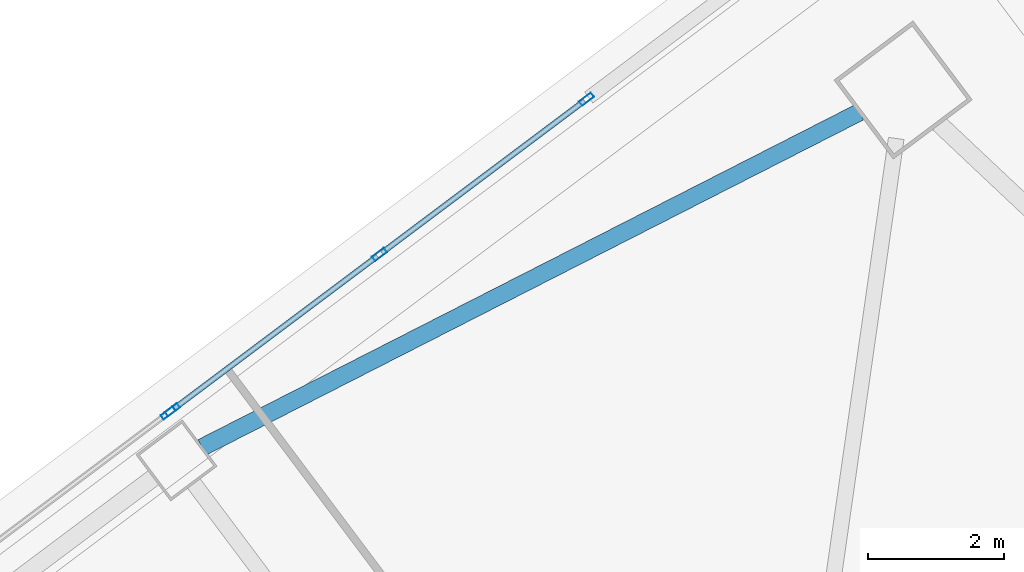
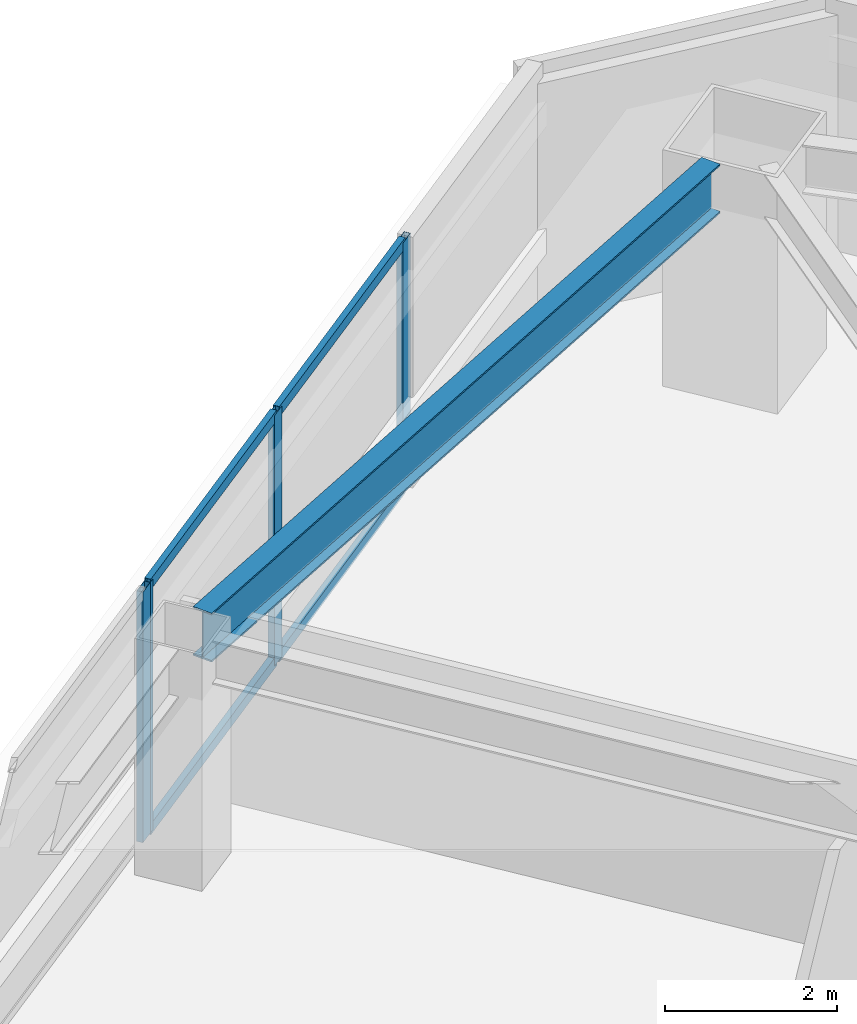
# One storey, part 31 of 49: 8 members, 1 beam, 2 elements without a shape of their own.
"""IFC4 building model written with IfcOpenShell, lengths in metres."""

from ifc_helpers import new_model, si_unit, direction, frame, origin, origin_2d, place, context, subcontext, project, spatial, hollow_rectangle, i_section, extrude, material, material_profile, profile_set, type_object, element, aggregate, save


model = new_model("IFC4")

# Units and contexts
model_context = context("Model", 3, precision=1e-05, world=origin(), true_north=direction((0.0, 1.0)))
body_context = subcontext(model_context, "Body", "Model", "MODEL_VIEW")
ifc_project = project(units=[si_unit("LENGTHUNIT", "METRE"), si_unit("AREAUNIT", "SQUARE_METRE"), si_unit("VOLUMEUNIT", "CUBIC_METRE"), si_unit("PLANEANGLEUNIT", "RADIAN"), si_unit("MASSUNIT", "GRAM", prefix="KILO")], contexts=[model_context])

# Site, building, storey
site_placement = place(None, origin())
site = spatial("IfcSite", under=ifc_project, at=site_placement, CompositionType="ELEMENT")
building_placement = place(site_placement, origin())
building = spatial("IfcBuilding", under=site, at=building_placement, Name="Tashvorn Skyway Center", CompositionType="ELEMENT")
storey_placement = place(building_placement, frame((0.0, 0.0, 70.75)))
storey = spatial("IfcBuildingStorey", under=building, at=storey_placement, Name="L18", CompositionType="ELEMENT", Elevation=70.75)

# Beam
ifc_material_1 = material(Name="Steel ASTM A992 Grade 50", Category="steel")
ifc_material_profile_1 = material_profile(ifc_material_1, i_section(OverallWidth=0.256103515625, OverallDepth=0.693115234375, WebThickness=0.014404296875, FlangeThickness=0.023681640625, at=origin_2d()), Name="W27X114")
ifc_profile_set_1 = profile_set([ifc_material_profile_1], Name="Steel ASTM A992 Grade 50")
beam_type = type_object("IfcBeamType", Name="BM-SPANDREL-W27X114", PredefinedType="SPANDREL", material=ifc_profile_set_1)
beam_placement = place(storey_placement, frame((116.798583984375, 55.7529296875, 3.00341796875), z_axis=(-0.890894170442, -0.454210938961, 0.0), x_axis=(0.454210938961, -0.890894170442, 0.0)))
element("IfcBeam", 1, at=beam_placement, inside=storey, type_object=beam_type, Name="Tower 2 L18 Spandrel Beam 07", PredefinedType="SPANDREL", context=body_context, shape_type="SweptSolid", body=[
    extrude(i_section(OverallWidth=0.256103515625, OverallDepth=0.693115234375, WebThickness=0.014404296875, FlangeThickness=0.023681640625, at=origin_2d()), origin(), (0.0, 0.0, 1.0), 10.836669921875),
])

# Curtain wall, member
ifc_material_2 = material(Name="Thermally broken bronze-anodized aluminium 6063-T6", Category="aluminium")
curtain_wall_type = type_object("IfcCurtainWallType", Name="CW-CW-Z2", PredefinedType="NOTDEFINED", material=ifc_material_2)
curtain_wall_1_placement = place(storey_placement, origin())
curtain_wall_1 = element("IfcCurtainWall", 2, at=curtain_wall_1_placement, inside=storey, type_object=curtain_wall_type, Name="Tower 2 L18 North Unitised Curtain Wall Glazing Group 2", PredefinedType="NOTDEFINED")
ifc_material_profile_2 = material_profile(ifc_material_2, hollow_rectangle(XDim=0.080078125, YDim=0.219970703125, WallThickness=0.0048828125, at=origin_2d()), Name="ALU-MULL-80x220")
ifc_profile_set_2 = profile_set([ifc_material_profile_2], Name="Thermally broken bronze-anodized aluminium 6063-T6")
member_type_1 = type_object("IfcMemberType", Name="CWM-CW-Z2", PredefinedType="MULLION", material=ifc_profile_set_2)
member_1_placement = place(storey_placement, frame((106.64794921875, 51.3359375, 0.0), z_axis=(0.0, 0.0, 1.0), x_axis=(-0.600000000002, 0.799999999998, 0.0)))
member_1 = element("IfcMember", 3, at=member_1_placement, type_object=member_type_1, Name="CW-Z2 mullion 2", PredefinedType="MULLION", context=body_context, shape_type="SweptSolid", body=[
    extrude(hollow_rectangle(XDim=0.080078125, YDim=0.219970703125, WallThickness=0.0048828125, at=origin_2d()), origin(), (0.0, 0.0, 1.0), 3.550048828125),
])
aggregate(curtain_wall_1, [member_1])

# Curtain wall, members
curtain_wall_2_placement = place(storey_placement, origin())
curtain_wall_2 = element("IfcCurtainWall", 4, at=curtain_wall_2_placement, inside=storey, type_object=curtain_wall_type, Name="Tower 2 L18 North Unitised Curtain Wall Glazing Group 3", PredefinedType="NOTDEFINED")
member_2_placement = place(storey_placement, frame((106.7119140625, 51.384033203125, 0.0), z_axis=(0.0, 0.0, 1.0), x_axis=(-0.600000000002, 0.799999999998, 0.0)))
member_2 = element("IfcMember", 5, at=member_2_placement, type_object=member_type_1, Name="CW-Z2 mullion 1", PredefinedType="MULLION", context=body_context, shape_type="SweptSolid", body=[
    extrude(hollow_rectangle(XDim=0.080078125, YDim=0.219970703125, WallThickness=0.0048828125, at=origin_2d()), origin(), (0.0, 0.0, 1.0), 3.550048828125),
])
member_3_placement = place(storey_placement, frame((109.751953125, 53.6640625, 0.0), z_axis=(0.0, 0.0, 1.0), x_axis=(-0.600000000002, 0.799999999998, 0.0)))
member_3 = element("IfcMember", 6, at=member_3_placement, type_object=member_type_1, Name="CW-Z2 mullion 2", PredefinedType="MULLION", context=body_context, shape_type="SweptSolid", body=[
    extrude(hollow_rectangle(XDim=0.080078125, YDim=0.219970703125, WallThickness=0.0048828125, at=origin_2d()), origin(), (0.0, 0.0, 1.0), 3.550048828125),
])
member_4_placement = place(storey_placement, frame((112.7919921875, 55.944091796875, 0.0), z_axis=(0.0, 0.0, 1.0), x_axis=(-0.600000000002, 0.799999999998, 0.0)))
member_4 = element("IfcMember", 7, at=member_4_placement, type_object=member_type_1, Name="CW-Z2 mullion 3", PredefinedType="MULLION", context=body_context, shape_type="SweptSolid", body=[
    extrude(hollow_rectangle(XDim=0.080078125, YDim=0.219970703125, WallThickness=0.0048828125, at=origin_2d()), origin(), (0.0, 0.0, 1.0), 3.550048828125),
])
ifc_material_profile_3 = material_profile(ifc_material_2, hollow_rectangle(XDim=0.080078125, YDim=0.14990234375, WallThickness=0.00439453125, at=origin_2d()), Name="ALU-TRAN-80x150")
ifc_profile_set_3 = profile_set([ifc_material_profile_3], Name="Thermally broken bronze-anodized aluminium 6063-T6")
member_type_2 = type_object("IfcMemberType", Name="CWT-CW-Z2", PredefinedType="USERDEFINED", material=ifc_profile_set_3)
member_5_placement = place(storey_placement, frame((106.743896484375, 51.407958984375, 0.0400390625), z_axis=(0.80001575065, 0.599978998559, 0.0), x_axis=(-0.599978998559, 0.80001575065, 0.0)))
member_5 = element("IfcMember", 8, at=member_5_placement, type_object=member_type_2, Name="CW-Z2 transom 1.1", ObjectType="TRANSOM", PredefinedType="USERDEFINED", context=body_context, shape_type="SweptSolid", body=[
    extrude(hollow_rectangle(XDim=0.080078125, YDim=0.14990234375, WallThickness=0.00439453125, at=origin_2d()), origin(), (0.0, 0.0, 1.0), 3.719970703125),
])
member_6_placement = place(storey_placement, frame((106.743896484375, 51.407958984375, 3.510009765625), z_axis=(0.80001575065, 0.599978998559, 0.0), x_axis=(-0.599978998559, 0.80001575065, 0.0)))
member_6 = element("IfcMember", 9, at=member_6_placement, type_object=member_type_2, Name="CW-Z2 transom 1.2", ObjectType="TRANSOM", PredefinedType="USERDEFINED", context=body_context, shape_type="SweptSolid", body=[
    extrude(hollow_rectangle(XDim=0.080078125, YDim=0.14990234375, WallThickness=0.00439453125, at=origin_2d()), origin(), (0.0, 0.0, 1.0), 3.719970703125),
])
member_7_placement = place(storey_placement, frame((109.783935546875, 53.68798828125, 0.0400390625), z_axis=(0.80001575065, 0.599978998559, 0.0), x_axis=(-0.599978998559, 0.80001575065, 0.0)))
member_7 = element("IfcMember", 10, at=member_7_placement, type_object=member_type_2, Name="CW-Z2 transom 2.1", ObjectType="TRANSOM", PredefinedType="USERDEFINED", context=body_context, shape_type="SweptSolid", body=[
    extrude(hollow_rectangle(XDim=0.080078125, YDim=0.14990234375, WallThickness=0.00439453125, at=origin_2d()), origin(), (0.0, 0.0, 1.0), 3.719970703125),
])
member_8_placement = place(storey_placement, frame((109.783935546875, 53.68798828125, 3.510009765625), z_axis=(0.80001575065, 0.599978998559, 0.0), x_axis=(-0.599978998559, 0.80001575065, 0.0)))
member_8 = element("IfcMember", 11, at=member_8_placement, type_object=member_type_2, Name="CW-Z2 transom 2.2", ObjectType="TRANSOM", PredefinedType="USERDEFINED", context=body_context, shape_type="SweptSolid", body=[
    extrude(hollow_rectangle(XDim=0.080078125, YDim=0.14990234375, WallThickness=0.00439453125, at=origin_2d()), origin(), (0.0, 0.0, 1.0), 3.719970703125),
])
aggregate(curtain_wall_2, [member_2, member_3, member_4, member_5, member_6, member_7, member_8])

save(model, "model.ifc")
